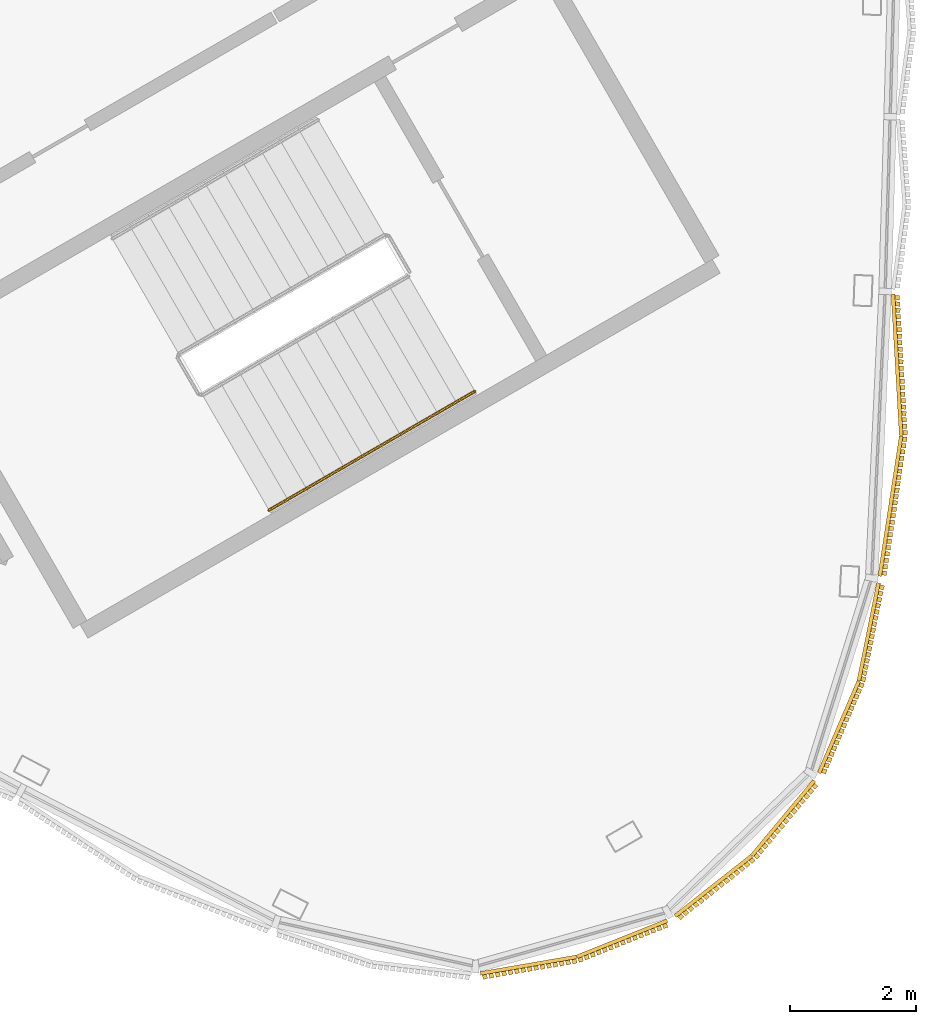
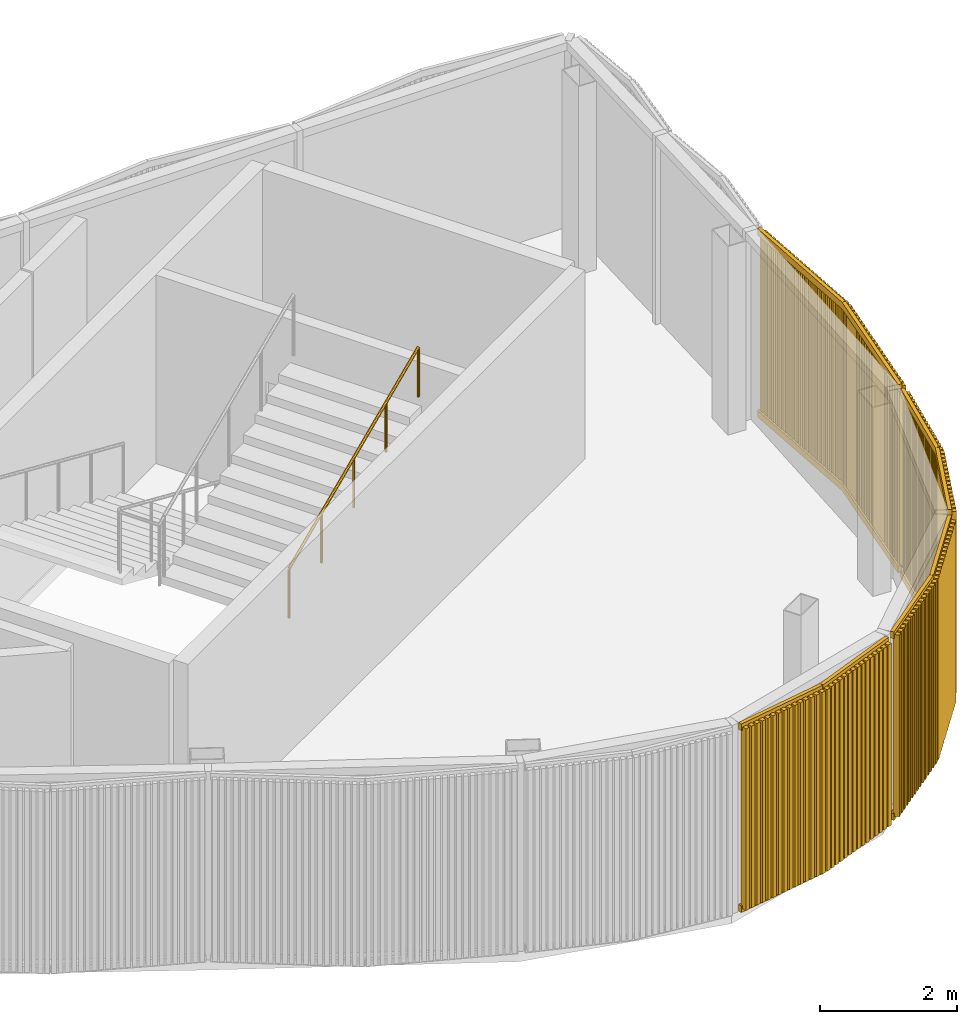
# One storey, part 12 of 16: 4 coverings, 1 railing.
"""IFC4 building model written with IfcOpenShell, lengths in metres."""

from ifc_helpers import new_model, si_unit, direction, frame, frame_2d, origin, origin_2d, place, context, subcontext, project, spatial, rectangle, circle, extrude, source, transform, mapped, material, type_object, element, save


model = new_model("IFC4")

# Units and contexts
model_context = context("Model", 3, precision=1e-05, world=origin(), true_north=direction((0.0, 1.0)))
body_context = subcontext(model_context, "Body", "Model", "MODEL_VIEW")
ifc_project = project(units=[si_unit("LENGTHUNIT", "METRE"), si_unit("AREAUNIT", "SQUARE_METRE"), si_unit("VOLUMEUNIT", "CUBIC_METRE"), si_unit("PLANEANGLEUNIT", "RADIAN"), si_unit("MASSUNIT", "GRAM", prefix="KILO")], contexts=[model_context])

# Site, building, storey
site_placement = place(None, origin())
site = spatial("IfcSite", under=ifc_project, at=site_placement, CompositionType="ELEMENT")
building_placement = place(site_placement, origin())
building = spatial("IfcBuilding", under=site, at=building_placement, Name="Tamra Quay Hotel Tower", CompositionType="ELEMENT")
storey_placement = place(building_placement, frame((0.0, 0.0, 324.199951171875)))
storey = spatial("IfcBuildingStorey", under=building, at=storey_placement, Name="Roof crown 2", CompositionType="ELEMENT", Elevation=324.199951171875)

# Railing
ifc_material_1 = material(Name="Stair handrail 900")
railing_type = type_object("IfcRailingType", Name="Stair handrail 900", PredefinedType="HANDRAIL", material=ifc_material_1)
railing_placement = place(storey_placement, frame((6.01953125, -14.98974609375, 1.949951171875)))
element("IfcRailing", 1, at=railing_placement, inside=storey, type_object=railing_type, Name="HR", PredefinedType="HANDRAIL", context=body_context, shape_type="SweptSolid", body=[
    extrude(circle(Radius=0.02392578125, at=origin_2d()), frame((0.0, 0.0, 0.8759765625), z_axis=(0.793081112945, 0.457875966286, 0.40171127416), x_axis=(-0.499992114976, 0.866029956157, 0.0)), (0.0, 0.0, 1.0), 4.10791015625),
    extrude(circle(Radius=0.02099609375, at=origin_2d()), origin(), (0.0, 0.0, 1.0), 0.851806640625),
    extrude(circle(Radius=0.02099609375, at=origin_2d()), frame((0.814453125, 0.47021484375, 0.41259765625)), (0.0, 0.0, 1.0), 0.851806640625),
    extrude(circle(Radius=0.02099609375, at=origin_2d()), frame((1.62890625, 0.9404296875, 0.8251953125)), (0.0, 0.0, 1.0), 0.851806640625),
    extrude(circle(Radius=0.02099609375, at=origin_2d()), frame((2.443359375, 1.41064453125, 1.237548828125)), (0.0, 0.0, 1.0), 0.851806640625),
    extrude(circle(Radius=0.02099609375, at=origin_2d()), frame((3.2578125, 1.880859375, 1.650146484375)), (0.0, 0.0, 1.0), 0.851806640625),
])

# Coverings
ifc_material_2 = material(Name="Terracotta baguette extruded", Category="masonry")
covering_type = type_object("IfcCoveringType", Name="BAGUETTE SCREEN CROWN H3350", PredefinedType="USERDEFINED", material=ifc_material_2)
shared_shape_1 = source(origin(), body_context, "Body", "SweptSolid", [
    extrude(rectangle(XDim=2.244873046875, YDim=0.06005859375, at=frame_2d((1.12255859375, 0.030029296875))), frame((-2.23876953125, -0.0576171875, -0.1201171875), z_axis=(0.0, 0.0, 1.0), x_axis=(0.994521895368, -0.104528463268, 0.0)), (0.0, 0.0, 1.0), 0.1201171875),
    extrude(rectangle(XDim=2.244873046875, YDim=0.06005859375, at=frame_2d((1.12255859375, 0.030029296875))), frame((-2.23876953125, -0.0576171875, -3.35009765625), z_axis=(0.0, 0.0, 1.0), x_axis=(0.994521895368, -0.104528463268, 0.0)), (0.0, 0.0, 1.0), 0.1201171875),
    extrude(rectangle(XDim=0.070068359375, YDim=0.10009765625, at=frame_2d((0.03515625, 0.050048828125))), frame((-2.216796875, -0.13330078125, -3.2900390625)), (0.0, 0.0, 1.0), 3.22998046875),
    extrude(rectangle(XDim=0.070068359375, YDim=0.10009765625, at=frame_2d((0.03515625, 0.050048828125))), frame((-2.115234375, -0.14404296875, -3.2900390625)), (0.0, 0.0, 1.0), 3.22998046875),
    extrude(rectangle(XDim=0.070068359375, YDim=0.10009765625, at=frame_2d((0.03515625, 0.050048828125))), frame((-2.013916015625, -0.154541015625, -3.2900390625)), (0.0, 0.0, 1.0), 3.22998046875),
    extrude(rectangle(XDim=0.070068359375, YDim=0.10009765625, at=frame_2d((0.03515625, 0.050048828125))), frame((-1.912353515625, -0.165283203125, -3.2900390625)), (0.0, 0.0, 1.0), 3.22998046875),
    extrude(rectangle(XDim=0.070068359375, YDim=0.10009765625, at=frame_2d((0.03515625, 0.050048828125))), frame((-1.810791015625, -0.176025390625, -3.2900390625)), (0.0, 0.0, 1.0), 3.22998046875),
    extrude(rectangle(XDim=0.070068359375, YDim=0.10009765625, at=frame_2d((0.03515625, 0.050048828125))), frame((-1.70947265625, -0.186767578125, -3.2900390625)), (0.0, 0.0, 1.0), 3.22998046875),
    extrude(rectangle(XDim=0.070068359375, YDim=0.10009765625, at=frame_2d((0.03515625, 0.050048828125))), frame((-1.60791015625, -0.197265625, -3.2900390625)), (0.0, 0.0, 1.0), 3.22998046875),
    extrude(rectangle(XDim=0.070068359375, YDim=0.10009765625, at=frame_2d((0.03515625, 0.050048828125))), frame((-1.50634765625, -0.2080078125, -3.2900390625)), (0.0, 0.0, 1.0), 3.22998046875),
    extrude(rectangle(XDim=0.070068359375, YDim=0.10009765625, at=frame_2d((0.03515625, 0.050048828125))), frame((-1.405029296875, -0.21875, -3.2900390625)), (0.0, 0.0, 1.0), 3.22998046875),
    extrude(rectangle(XDim=0.070068359375, YDim=0.10009765625, at=frame_2d((0.03515625, 0.050048828125))), frame((-1.303466796875, -0.229248046875, -3.2900390625)), (0.0, 0.0, 1.0), 3.22998046875),
    extrude(rectangle(XDim=0.070068359375, YDim=0.10009765625, at=frame_2d((0.03515625, 0.050048828125))), frame((-1.201904296875, -0.239990234375, -3.2900390625)), (0.0, 0.0, 1.0), 3.22998046875),
    extrude(rectangle(XDim=0.070068359375, YDim=0.10009765625, at=frame_2d((0.03515625, 0.050048828125))), frame((-1.1005859375, -0.250732421875, -3.2900390625)), (0.0, 0.0, 1.0), 3.22998046875),
    extrude(rectangle(XDim=0.070068359375, YDim=0.10009765625, at=frame_2d((0.03515625, 0.050048828125))), frame((-0.9990234375, -0.26123046875, -3.2900390625)), (0.0, 0.0, 1.0), 3.22998046875),
    extrude(rectangle(XDim=0.070068359375, YDim=0.10009765625, at=frame_2d((0.03515625, 0.050048828125))), frame((-0.8974609375, -0.27197265625, -3.2900390625)), (0.0, 0.0, 1.0), 3.22998046875),
    extrude(rectangle(XDim=0.070068359375, YDim=0.10009765625, at=frame_2d((0.03515625, 0.050048828125))), frame((-0.796142578125, -0.28271484375, -3.2900390625)), (0.0, 0.0, 1.0), 3.22998046875),
    extrude(rectangle(XDim=0.070068359375, YDim=0.10009765625, at=frame_2d((0.03515625, 0.050048828125))), frame((-0.694580078125, -0.293212890625, -3.2900390625)), (0.0, 0.0, 1.0), 3.22998046875),
    extrude(rectangle(XDim=0.070068359375, YDim=0.10009765625, at=frame_2d((0.03515625, 0.050048828125))), frame((-0.593017578125, -0.303955078125, -3.2900390625)), (0.0, 0.0, 1.0), 3.22998046875),
    extrude(rectangle(XDim=0.070068359375, YDim=0.10009765625, at=frame_2d((0.03515625, 0.050048828125))), frame((-0.49169921875, -0.314697265625, -3.2900390625)), (0.0, 0.0, 1.0), 3.22998046875),
    extrude(rectangle(XDim=0.070068359375, YDim=0.10009765625, at=frame_2d((0.03515625, 0.050048828125))), frame((-0.39013671875, -0.325439453125, -3.2900390625)), (0.0, 0.0, 1.0), 3.22998046875),
    extrude(rectangle(XDim=0.070068359375, YDim=0.10009765625, at=frame_2d((0.03515625, 0.050048828125))), frame((-0.28857421875, -0.3359375, -3.2900390625)), (0.0, 0.0, 1.0), 3.22998046875),
    extrude(rectangle(XDim=0.070068359375, YDim=0.10009765625, at=frame_2d((0.03515625, 0.050048828125))), frame((-0.187255859375, -0.3466796875, -3.2900390625)), (0.0, 0.0, 1.0), 3.22998046875),
    extrude(rectangle(XDim=0.070068359375, YDim=0.10009765625, at=frame_2d((0.03515625, 0.050048828125))), frame((-0.085693359375, -0.357421875, -3.2900390625)), (0.0, 0.0, 1.0), 3.22998046875),
    extrude(rectangle(XDim=2.244873046875, YDim=0.06005859375, at=frame_2d((1.12255859375, 0.030029296875))), frame((0.00634765625, -0.292236328125, -0.1201171875), z_axis=(0.0, 0.0, 1.0), x_axis=(0.994521895368, 0.104528463268, 0.0)), (0.0, 0.0, 1.0), 0.1201171875),
    extrude(rectangle(XDim=2.244873046875, YDim=0.06005859375, at=frame_2d((1.12255859375, 0.030029296875))), frame((0.00634765625, -0.292236328125, -3.35009765625), z_axis=(0.0, 0.0, 1.0), x_axis=(0.994521895368, 0.104528463268, 0.0)), (0.0, 0.0, 1.0), 0.1201171875),
    extrude(rectangle(XDim=0.070068359375, YDim=0.10009765625, at=frame_2d((0.03515625, 0.050048828125))), frame((0.015625, -0.357421875, -3.2900390625)), (0.0, 0.0, 1.0), 3.22998046875),
    extrude(rectangle(XDim=0.070068359375, YDim=0.10009765625, at=frame_2d((0.03515625, 0.050048828125))), frame((0.1171875, -0.3466796875, -3.2900390625)), (0.0, 0.0, 1.0), 3.22998046875),
    extrude(rectangle(XDim=0.070068359375, YDim=0.10009765625, at=frame_2d((0.03515625, 0.050048828125))), frame((0.21875, -0.3359375, -3.2900390625)), (0.0, 0.0, 1.0), 3.22998046875),
    extrude(rectangle(XDim=0.070068359375, YDim=0.10009765625, at=frame_2d((0.03515625, 0.050048828125))), frame((0.320068359375, -0.325439453125, -3.2900390625)), (0.0, 0.0, 1.0), 3.22998046875),
    extrude(rectangle(XDim=0.070068359375, YDim=0.10009765625, at=frame_2d((0.03515625, 0.050048828125))), frame((0.421630859375, -0.314697265625, -3.2900390625)), (0.0, 0.0, 1.0), 3.22998046875),
    extrude(rectangle(XDim=0.070068359375, YDim=0.10009765625, at=frame_2d((0.03515625, 0.050048828125))), frame((0.523193359375, -0.303955078125, -3.2900390625)), (0.0, 0.0, 1.0), 3.22998046875),
    extrude(rectangle(XDim=0.070068359375, YDim=0.10009765625, at=frame_2d((0.03515625, 0.050048828125))), frame((0.62451171875, -0.293212890625, -3.2900390625)), (0.0, 0.0, 1.0), 3.22998046875),
    extrude(rectangle(XDim=0.070068359375, YDim=0.10009765625, at=frame_2d((0.03515625, 0.050048828125))), frame((0.72607421875, -0.28271484375, -3.2900390625)), (0.0, 0.0, 1.0), 3.22998046875),
    extrude(rectangle(XDim=0.070068359375, YDim=0.10009765625, at=frame_2d((0.03515625, 0.050048828125))), frame((0.82763671875, -0.27197265625, -3.2900390625)), (0.0, 0.0, 1.0), 3.22998046875),
    extrude(rectangle(XDim=0.070068359375, YDim=0.10009765625, at=frame_2d((0.03515625, 0.050048828125))), frame((0.928955078125, -0.26123046875, -3.2900390625)), (0.0, 0.0, 1.0), 3.22998046875),
    extrude(rectangle(XDim=0.070068359375, YDim=0.10009765625, at=frame_2d((0.03515625, 0.050048828125))), frame((1.030517578125, -0.250732421875, -3.2900390625)), (0.0, 0.0, 1.0), 3.22998046875),
    extrude(rectangle(XDim=0.070068359375, YDim=0.10009765625, at=frame_2d((0.03515625, 0.050048828125))), frame((1.132080078125, -0.239990234375, -3.2900390625)), (0.0, 0.0, 1.0), 3.22998046875),
    extrude(rectangle(XDim=0.070068359375, YDim=0.10009765625, at=frame_2d((0.03515625, 0.050048828125))), frame((1.2333984375, -0.229248046875, -3.2900390625)), (0.0, 0.0, 1.0), 3.22998046875),
    extrude(rectangle(XDim=0.070068359375, YDim=0.10009765625, at=frame_2d((0.03515625, 0.050048828125))), frame((1.3349609375, -0.21875, -3.2900390625)), (0.0, 0.0, 1.0), 3.22998046875),
    extrude(rectangle(XDim=0.070068359375, YDim=0.10009765625, at=frame_2d((0.03515625, 0.050048828125))), frame((1.4365234375, -0.2080078125, -3.2900390625)), (0.0, 0.0, 1.0), 3.22998046875),
    extrude(rectangle(XDim=0.070068359375, YDim=0.10009765625, at=frame_2d((0.03515625, 0.050048828125))), frame((1.537841796875, -0.197265625, -3.2900390625)), (0.0, 0.0, 1.0), 3.22998046875),
    extrude(rectangle(XDim=0.070068359375, YDim=0.10009765625, at=frame_2d((0.03515625, 0.050048828125))), frame((1.639404296875, -0.186767578125, -3.2900390625)), (0.0, 0.0, 1.0), 3.22998046875),
    extrude(rectangle(XDim=0.070068359375, YDim=0.10009765625, at=frame_2d((0.03515625, 0.050048828125))), frame((1.740966796875, -0.176025390625, -3.2900390625)), (0.0, 0.0, 1.0), 3.22998046875),
    extrude(rectangle(XDim=0.070068359375, YDim=0.10009765625, at=frame_2d((0.03515625, 0.050048828125))), frame((1.84228515625, -0.165283203125, -3.2900390625)), (0.0, 0.0, 1.0), 3.22998046875),
    extrude(rectangle(XDim=0.070068359375, YDim=0.10009765625, at=frame_2d((0.03515625, 0.050048828125))), frame((1.94384765625, -0.154541015625, -3.2900390625)), (0.0, 0.0, 1.0), 3.22998046875),
    extrude(rectangle(XDim=0.070068359375, YDim=0.10009765625, at=frame_2d((0.03515625, 0.050048828125))), frame((2.045166015625, -0.14404296875, -3.2900390625)), (0.0, 0.0, 1.0), 3.22998046875),
    extrude(rectangle(XDim=0.070068359375, YDim=0.10009765625, at=frame_2d((0.03515625, 0.050048828125))), frame((2.146728515625, -0.13330078125, -3.2900390625)), (0.0, 0.0, 1.0), 3.22998046875),
])
covering_1_placement = place(storey_placement, frame((15.759521484375, -13.80078125, 3.35009765625), z_axis=(0.0, 0.0, 1.0), x_axis=(0.046821305973, 0.998903281257, 0.0)))
element("IfcCovering", 2, at=covering_1_placement, inside=storey, type_object=covering_type, Name="Baguette screen Roof crown 2.B.f19", ObjectType="BAGUETTE SCREEN", PredefinedType="USERDEFINED", context=body_context, shape_type="MappedRepresentation", body=[
    mapped(shared_shape_1, transform((0.0, 0.0, 0.0), scale=1.0)),
])
shared_shape_2 = source(origin(), body_context, "Body", "SweptSolid", [
    extrude(rectangle(XDim=1.5810546875, YDim=0.06005859375, at=frame_2d((0.79052734375, 0.030029296875))), frame((-1.578857421875, -0.0576171875, -0.1201171875), z_axis=(0.0, 0.0, 1.0), x_axis=(0.994521895368, -0.104528463268, 0.0)), (0.0, 0.0, 1.0), 0.1201171875),
    extrude(rectangle(XDim=1.5810546875, YDim=0.06005859375, at=frame_2d((0.79052734375, 0.030029296875))), frame((-1.578857421875, -0.0576171875, -3.35009765625), z_axis=(0.0, 0.0, 1.0), x_axis=(0.994521895368, -0.104528463268, 0.0)), (0.0, 0.0, 1.0), 0.1201171875),
    extrude(rectangle(XDim=0.070068359375, YDim=0.10009765625, at=frame_2d((0.03515625, 0.050048828125))), frame((-1.558349609375, -0.133056640625, -3.2900390625)), (0.0, 0.0, 1.0), 3.22998046875),
    extrude(rectangle(XDim=0.070068359375, YDim=0.10009765625, at=frame_2d((0.03515625, 0.050048828125))), frame((-1.4599609375, -0.1435546875, -3.2900390625)), (0.0, 0.0, 1.0), 3.22998046875),
    extrude(rectangle(XDim=0.070068359375, YDim=0.10009765625, at=frame_2d((0.03515625, 0.050048828125))), frame((-1.36181640625, -0.15380859375, -3.2900390625)), (0.0, 0.0, 1.0), 3.22998046875),
    extrude(rectangle(XDim=0.070068359375, YDim=0.10009765625, at=frame_2d((0.03515625, 0.050048828125))), frame((-1.263427734375, -0.1640625, -3.2900390625)), (0.0, 0.0, 1.0), 3.22998046875),
    extrude(rectangle(XDim=0.070068359375, YDim=0.10009765625, at=frame_2d((0.03515625, 0.050048828125))), frame((-1.165283203125, -0.174560546875, -3.2900390625)), (0.0, 0.0, 1.0), 3.22998046875),
    extrude(rectangle(XDim=0.070068359375, YDim=0.10009765625, at=frame_2d((0.03515625, 0.050048828125))), frame((-1.06689453125, -0.184814453125, -3.2900390625)), (0.0, 0.0, 1.0), 3.22998046875),
    extrude(rectangle(XDim=0.070068359375, YDim=0.10009765625, at=frame_2d((0.03515625, 0.050048828125))), frame((-0.96875, -0.195068359375, -3.2900390625)), (0.0, 0.0, 1.0), 3.22998046875),
    extrude(rectangle(XDim=0.070068359375, YDim=0.10009765625, at=frame_2d((0.03515625, 0.050048828125))), frame((-0.870361328125, -0.20556640625, -3.2900390625)), (0.0, 0.0, 1.0), 3.22998046875),
    extrude(rectangle(XDim=0.070068359375, YDim=0.10009765625, at=frame_2d((0.03515625, 0.050048828125))), frame((-0.772216796875, -0.2158203125, -3.2900390625)), (0.0, 0.0, 1.0), 3.22998046875),
    extrude(rectangle(XDim=0.070068359375, YDim=0.10009765625, at=frame_2d((0.03515625, 0.050048828125))), frame((-0.673828125, -0.22607421875, -3.2900390625)), (0.0, 0.0, 1.0), 3.22998046875),
    extrude(rectangle(XDim=0.070068359375, YDim=0.10009765625, at=frame_2d((0.03515625, 0.050048828125))), frame((-0.575439453125, -0.236572265625, -3.2900390625)), (0.0, 0.0, 1.0), 3.22998046875),
    extrude(rectangle(XDim=0.070068359375, YDim=0.10009765625, at=frame_2d((0.03515625, 0.050048828125))), frame((-0.477294921875, -0.246826171875, -3.2900390625)), (0.0, 0.0, 1.0), 3.22998046875),
    extrude(rectangle(XDim=0.070068359375, YDim=0.10009765625, at=frame_2d((0.03515625, 0.050048828125))), frame((-0.37890625, -0.257080078125, -3.2900390625)), (0.0, 0.0, 1.0), 3.22998046875),
    extrude(rectangle(XDim=0.070068359375, YDim=0.10009765625, at=frame_2d((0.03515625, 0.050048828125))), frame((-0.28076171875, -0.267333984375, -3.2900390625)), (0.0, 0.0, 1.0), 3.22998046875),
    extrude(rectangle(XDim=0.070068359375, YDim=0.10009765625, at=frame_2d((0.03515625, 0.050048828125))), frame((-0.182373046875, -0.27783203125, -3.2900390625)), (0.0, 0.0, 1.0), 3.22998046875),
    extrude(rectangle(XDim=0.070068359375, YDim=0.10009765625, at=frame_2d((0.03515625, 0.050048828125))), frame((-0.084228515625, -0.2880859375, -3.2900390625)), (0.0, 0.0, 1.0), 3.22998046875),
    extrude(rectangle(XDim=1.5810546875, YDim=0.06005859375, at=frame_2d((0.79052734375, 0.030029296875))), frame((0.00634765625, -0.222900390625, -0.1201171875), z_axis=(0.0, 0.0, 1.0), x_axis=(0.994521895368, 0.104528463268, 0.0)), (0.0, 0.0, 1.0), 0.1201171875),
    extrude(rectangle(XDim=1.5810546875, YDim=0.06005859375, at=frame_2d((0.79052734375, 0.030029296875))), frame((0.00634765625, -0.222900390625, -3.35009765625), z_axis=(0.0, 0.0, 1.0), x_axis=(0.994521895368, 0.104528463268, 0.0)), (0.0, 0.0, 1.0), 0.1201171875),
    extrude(rectangle(XDim=0.070068359375, YDim=0.10009765625, at=frame_2d((0.03515625, 0.050048828125))), frame((0.01416015625, -0.2880859375, -3.2900390625)), (0.0, 0.0, 1.0), 3.22998046875),
    extrude(rectangle(XDim=0.070068359375, YDim=0.10009765625, at=frame_2d((0.03515625, 0.050048828125))), frame((0.1123046875, -0.27783203125, -3.2900390625)), (0.0, 0.0, 1.0), 3.22998046875),
    extrude(rectangle(XDim=0.070068359375, YDim=0.10009765625, at=frame_2d((0.03515625, 0.050048828125))), frame((0.210693359375, -0.267333984375, -3.2900390625)), (0.0, 0.0, 1.0), 3.22998046875),
    extrude(rectangle(XDim=0.070068359375, YDim=0.10009765625, at=frame_2d((0.03515625, 0.050048828125))), frame((0.30908203125, -0.257080078125, -3.2900390625)), (0.0, 0.0, 1.0), 3.22998046875),
    extrude(rectangle(XDim=0.070068359375, YDim=0.10009765625, at=frame_2d((0.03515625, 0.050048828125))), frame((0.4072265625, -0.246826171875, -3.2900390625)), (0.0, 0.0, 1.0), 3.22998046875),
    extrude(rectangle(XDim=0.070068359375, YDim=0.10009765625, at=frame_2d((0.03515625, 0.050048828125))), frame((0.505615234375, -0.236572265625, -3.2900390625)), (0.0, 0.0, 1.0), 3.22998046875),
    extrude(rectangle(XDim=0.070068359375, YDim=0.10009765625, at=frame_2d((0.03515625, 0.050048828125))), frame((0.603759765625, -0.22607421875, -3.2900390625)), (0.0, 0.0, 1.0), 3.22998046875),
    extrude(rectangle(XDim=0.070068359375, YDim=0.10009765625, at=frame_2d((0.03515625, 0.050048828125))), frame((0.7021484375, -0.2158203125, -3.2900390625)), (0.0, 0.0, 1.0), 3.22998046875),
    extrude(rectangle(XDim=0.070068359375, YDim=0.10009765625, at=frame_2d((0.03515625, 0.050048828125))), frame((0.80029296875, -0.20556640625, -3.2900390625)), (0.0, 0.0, 1.0), 3.22998046875),
    extrude(rectangle(XDim=0.070068359375, YDim=0.10009765625, at=frame_2d((0.03515625, 0.050048828125))), frame((0.898681640625, -0.195068359375, -3.2900390625)), (0.0, 0.0, 1.0), 3.22998046875),
    extrude(rectangle(XDim=0.070068359375, YDim=0.10009765625, at=frame_2d((0.03515625, 0.050048828125))), frame((0.9970703125, -0.184814453125, -3.2900390625)), (0.0, 0.0, 1.0), 3.22998046875),
    extrude(rectangle(XDim=0.070068359375, YDim=0.10009765625, at=frame_2d((0.03515625, 0.050048828125))), frame((1.09521484375, -0.174560546875, -3.2900390625)), (0.0, 0.0, 1.0), 3.22998046875),
    extrude(rectangle(XDim=0.070068359375, YDim=0.10009765625, at=frame_2d((0.03515625, 0.050048828125))), frame((1.193603515625, -0.1640625, -3.2900390625)), (0.0, 0.0, 1.0), 3.22998046875),
    extrude(rectangle(XDim=0.070068359375, YDim=0.10009765625, at=frame_2d((0.03515625, 0.050048828125))), frame((1.291748046875, -0.15380859375, -3.2900390625)), (0.0, 0.0, 1.0), 3.22998046875),
    extrude(rectangle(XDim=0.070068359375, YDim=0.10009765625, at=frame_2d((0.03515625, 0.050048828125))), frame((1.39013671875, -0.1435546875, -3.2900390625)), (0.0, 0.0, 1.0), 3.22998046875),
    extrude(rectangle(XDim=0.070068359375, YDim=0.10009765625, at=frame_2d((0.03515625, 0.050048828125))), frame((1.48828125, -0.133056640625, -3.2900390625)), (0.0, 0.0, 1.0), 3.22998046875),
])
covering_2_placement = place(storey_placement, frame((15.16650390625, -17.6357421875, 3.35009765625), z_axis=(0.0, 0.0, 1.0), x_axis=(0.29839239288, 0.954443282689, 0.0)))
element("IfcCovering", 3, at=covering_2_placement, inside=storey, type_object=covering_type, Name="Baguette screen Roof crown 2.B.f18", ObjectType="BAGUETTE SCREEN", PredefinedType="USERDEFINED", context=body_context, shape_type="MappedRepresentation", body=[
    mapped(shared_shape_2, transform((0.0, 0.0, 0.0), scale=1.0)),
])
shared_shape_3 = source(origin(), body_context, "Body", "SweptSolid", [
    extrude(rectangle(XDim=1.541015625, YDim=0.06005859375, at=frame_2d((0.7705078125, 0.030029296875))), frame((-1.538818359375, -0.0576171875, -0.1201171875), z_axis=(0.0, 0.0, 1.0), x_axis=(0.994521895368, -0.104528463268, 0.0)), (0.0, 0.0, 1.0), 0.1201171875),
    extrude(rectangle(XDim=1.541015625, YDim=0.06005859375, at=frame_2d((0.7705078125, 0.030029296875))), frame((-1.538818359375, -0.0576171875, -3.35009765625), z_axis=(0.0, 0.0, 1.0), x_axis=(0.994521895368, -0.104528463268, 0.0)), (0.0, 0.0, 1.0), 0.1201171875),
    extrude(rectangle(XDim=0.070068359375, YDim=0.10009765625, at=frame_2d((0.03515625, 0.050048828125))), frame((-1.516357421875, -0.13330078125, -3.2900390625)), (0.0, 0.0, 1.0), 3.22998046875),
    extrude(rectangle(XDim=0.070068359375, YDim=0.10009765625, at=frame_2d((0.03515625, 0.050048828125))), frame((-1.414306640625, -0.14404296875, -3.2900390625)), (0.0, 0.0, 1.0), 3.22998046875),
    extrude(rectangle(XDim=0.070068359375, YDim=0.10009765625, at=frame_2d((0.03515625, 0.050048828125))), frame((-1.31201171875, -0.15478515625, -3.2900390625)), (0.0, 0.0, 1.0), 3.22998046875),
    extrude(rectangle(XDim=0.070068359375, YDim=0.10009765625, at=frame_2d((0.03515625, 0.050048828125))), frame((-1.2099609375, -0.16552734375, -3.2900390625)), (0.0, 0.0, 1.0), 3.22998046875),
    extrude(rectangle(XDim=0.070068359375, YDim=0.10009765625, at=frame_2d((0.03515625, 0.050048828125))), frame((-1.107666015625, -0.17626953125, -3.2900390625)), (0.0, 0.0, 1.0), 3.22998046875),
    extrude(rectangle(XDim=0.070068359375, YDim=0.10009765625, at=frame_2d((0.03515625, 0.050048828125))), frame((-1.005615234375, -0.18701171875, -3.2900390625)), (0.0, 0.0, 1.0), 3.22998046875),
    extrude(rectangle(XDim=0.070068359375, YDim=0.10009765625, at=frame_2d((0.03515625, 0.050048828125))), frame((-0.9033203125, -0.19775390625, -3.2900390625)), (0.0, 0.0, 1.0), 3.22998046875),
    extrude(rectangle(XDim=0.070068359375, YDim=0.10009765625, at=frame_2d((0.03515625, 0.050048828125))), frame((-0.80126953125, -0.20849609375, -3.2900390625)), (0.0, 0.0, 1.0), 3.22998046875),
    extrude(rectangle(XDim=0.070068359375, YDim=0.10009765625, at=frame_2d((0.03515625, 0.050048828125))), frame((-0.698974609375, -0.21923828125, -3.2900390625)), (0.0, 0.0, 1.0), 3.22998046875),
    extrude(rectangle(XDim=0.070068359375, YDim=0.10009765625, at=frame_2d((0.03515625, 0.050048828125))), frame((-0.596923828125, -0.22998046875, -3.2900390625)), (0.0, 0.0, 1.0), 3.22998046875),
    extrude(rectangle(XDim=0.070068359375, YDim=0.10009765625, at=frame_2d((0.03515625, 0.050048828125))), frame((-0.49462890625, -0.24072265625, -3.2900390625)), (0.0, 0.0, 1.0), 3.22998046875),
    extrude(rectangle(XDim=0.070068359375, YDim=0.10009765625, at=frame_2d((0.03515625, 0.050048828125))), frame((-0.392578125, -0.25146484375, -3.2900390625)), (0.0, 0.0, 1.0), 3.22998046875),
    extrude(rectangle(XDim=0.070068359375, YDim=0.10009765625, at=frame_2d((0.03515625, 0.050048828125))), frame((-0.29052734375, -0.26220703125, -3.2900390625)), (0.0, 0.0, 1.0), 3.22998046875),
    extrude(rectangle(XDim=0.070068359375, YDim=0.10009765625, at=frame_2d((0.03515625, 0.050048828125))), frame((-0.188232421875, -0.27294921875, -3.2900390625)), (0.0, 0.0, 1.0), 3.22998046875),
    extrude(rectangle(XDim=0.070068359375, YDim=0.10009765625, at=frame_2d((0.03515625, 0.050048828125))), frame((-0.086181640625, -0.28369140625, -3.2900390625)), (0.0, 0.0, 1.0), 3.22998046875),
    extrude(rectangle(XDim=1.541015625, YDim=0.06005859375, at=frame_2d((0.7705078125, 0.030029296875))), frame((0.00634765625, -0.21875, -0.1201171875), z_axis=(0.0, 0.0, 1.0), x_axis=(0.994521895368, 0.104528463268, 0.0)), (0.0, 0.0, 1.0), 0.1201171875),
    extrude(rectangle(XDim=1.541015625, YDim=0.06005859375, at=frame_2d((0.7705078125, 0.030029296875))), frame((0.00634765625, -0.21875, -3.35009765625), z_axis=(0.0, 0.0, 1.0), x_axis=(0.994521895368, 0.104528463268, 0.0)), (0.0, 0.0, 1.0), 0.1201171875),
    extrude(rectangle(XDim=0.070068359375, YDim=0.10009765625, at=frame_2d((0.03515625, 0.050048828125))), frame((0.01611328125, -0.28369140625, -3.2900390625)), (0.0, 0.0, 1.0), 3.22998046875),
    extrude(rectangle(XDim=0.070068359375, YDim=0.10009765625, at=frame_2d((0.03515625, 0.050048828125))), frame((0.1181640625, -0.27294921875, -3.2900390625)), (0.0, 0.0, 1.0), 3.22998046875),
    extrude(rectangle(XDim=0.070068359375, YDim=0.10009765625, at=frame_2d((0.03515625, 0.050048828125))), frame((0.220458984375, -0.26220703125, -3.2900390625)), (0.0, 0.0, 1.0), 3.22998046875),
    extrude(rectangle(XDim=0.070068359375, YDim=0.10009765625, at=frame_2d((0.03515625, 0.050048828125))), frame((0.322509765625, -0.25146484375, -3.2900390625)), (0.0, 0.0, 1.0), 3.22998046875),
    extrude(rectangle(XDim=0.070068359375, YDim=0.10009765625, at=frame_2d((0.03515625, 0.050048828125))), frame((0.4248046875, -0.24072265625, -3.2900390625)), (0.0, 0.0, 1.0), 3.22998046875),
    extrude(rectangle(XDim=0.070068359375, YDim=0.10009765625, at=frame_2d((0.03515625, 0.050048828125))), frame((0.52685546875, -0.22998046875, -3.2900390625)), (0.0, 0.0, 1.0), 3.22998046875),
    extrude(rectangle(XDim=0.070068359375, YDim=0.10009765625, at=frame_2d((0.03515625, 0.050048828125))), frame((0.629150390625, -0.21923828125, -3.2900390625)), (0.0, 0.0, 1.0), 3.22998046875),
    extrude(rectangle(XDim=0.070068359375, YDim=0.10009765625, at=frame_2d((0.03515625, 0.050048828125))), frame((0.731201171875, -0.20849609375, -3.2900390625)), (0.0, 0.0, 1.0), 3.22998046875),
    extrude(rectangle(XDim=0.070068359375, YDim=0.10009765625, at=frame_2d((0.03515625, 0.050048828125))), frame((0.83349609375, -0.19775390625, -3.2900390625)), (0.0, 0.0, 1.0), 3.22998046875),
    extrude(rectangle(XDim=0.070068359375, YDim=0.10009765625, at=frame_2d((0.03515625, 0.050048828125))), frame((0.935546875, -0.18701171875, -3.2900390625)), (0.0, 0.0, 1.0), 3.22998046875),
    extrude(rectangle(XDim=0.070068359375, YDim=0.10009765625, at=frame_2d((0.03515625, 0.050048828125))), frame((1.037841796875, -0.17626953125, -3.2900390625)), (0.0, 0.0, 1.0), 3.22998046875),
    extrude(rectangle(XDim=0.070068359375, YDim=0.10009765625, at=frame_2d((0.03515625, 0.050048828125))), frame((1.139892578125, -0.16552734375, -3.2900390625)), (0.0, 0.0, 1.0), 3.22998046875),
    extrude(rectangle(XDim=0.070068359375, YDim=0.10009765625, at=frame_2d((0.03515625, 0.050048828125))), frame((1.2421875, -0.15478515625, -3.2900390625)), (0.0, 0.0, 1.0), 3.22998046875),
    extrude(rectangle(XDim=0.070068359375, YDim=0.10009765625, at=frame_2d((0.03515625, 0.050048828125))), frame((1.34423828125, -0.14404296875, -3.2900390625)), (0.0, 0.0, 1.0), 3.22998046875),
    extrude(rectangle(XDim=0.070068359375, YDim=0.10009765625, at=frame_2d((0.03515625, 0.050048828125))), frame((1.446533203125, -0.13330078125, -3.2900390625)), (0.0, 0.0, 1.0), 3.22998046875),
])
for number, where, z_axis, x_axis, name in (
    (4, (10.83447265625, -21.875244140625, 3.35009765625), (0.0, 0.0, 1.0), (0.96227963311, 0.272062323195, 0.0), "Baguette screen Roof crown 2.B.f16"),
    (5, (13.52734375, -20.320556640625, 3.35009765625), (0.0, 0.0, 1.0), (0.716752699854, 0.69732744622, 0.0), "Baguette screen Roof crown 2.B.f17"),
):
    element("IfcCovering", number, at=place(storey_placement, frame(where, z_axis=z_axis, x_axis=x_axis)), inside=storey, type_object=covering_type, Name=name, ObjectType="BAGUETTE SCREEN", PredefinedType="USERDEFINED", context=body_context, shape_type="MappedRepresentation", body=[
        mapped(shared_shape_3, transform((0.0, 0.0, 0.0), scale=1.0)),
    ])

save(model, "model.ifc")
